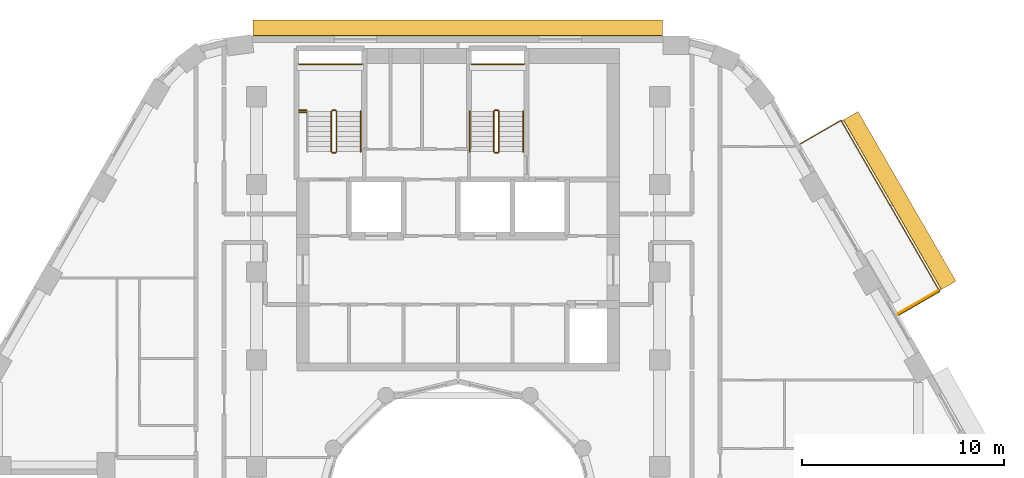
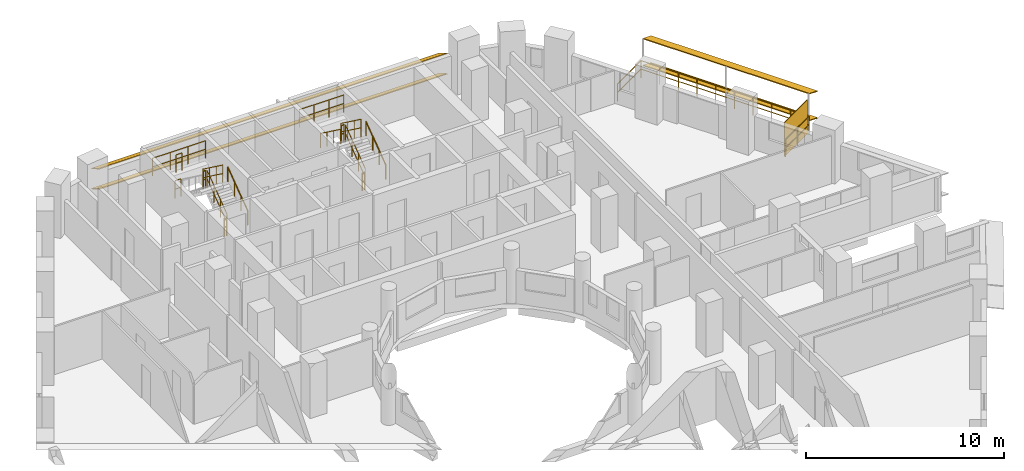
# One storey, part 14 of 14: 16 railings, 5 shading devices.
"""IFC4 building model written with IfcOpenShell, lengths in metres."""

import ifcopenshell
import ifcopenshell.guid

model = None  # the IFC model being written
_history = None  # IfcOwnerHistory: only IFC2X3 demands one
_inside = {}  # id of a spatial element -> (the spatial element, [elements in it])
_under = {}  # id of a project, library or spatial element -> (it, [spatial elements below it])
_declared = {}  # id of a project -> (the project, [libraries it declares])
_typed = {}  # id of a type object -> (the type object, [elements of that type])
_made_of = {}  # id of a material, layer set ... -> (it, [elements and type objects made of it])


def new_model(schema):
    """Start an empty IFC model of exactly this schema.

    Asked for "IFC4X3", IfcOpenShell would pick the latest addendum, in which some entities
    have other attributes; the version numbers below select the first issue.
    IFC2X3 requires an IfcOwnerHistory on every rooted entity: one is made here for all.
    """
    global model, _history
    if schema == "IFC4X3":
        model = ifcopenshell.file(schema_version=(4, 3, 0, 0))
    else:
        model = ifcopenshell.file(schema=schema)
    _inside.clear()
    _under.clear()
    _declared.clear()
    _typed.clear()
    _made_of.clear()
    _history = None
    if model.schema == "IFC2X3":
        org = make("IfcOrganization", Name="unknown")
        user = make(
            "IfcPersonAndOrganization",
            ThePerson=make("IfcPerson", FamilyName="unknown"),
            TheOrganization=org,
        )
        app = make(
            "IfcApplication",
            ApplicationDeveloper=org,
            Version="unknown",
            ApplicationFullName="unknown",
            ApplicationIdentifier="unknown",
        )
        _history = make(
            "IfcOwnerHistory",
            OwningUser=user,
            OwningApplication=app,
            ChangeAction="ADDED",
            CreationDate=0,
        )
    return model


def make(cls, **values):
    """One entity of the class cls with the attributes given. An attribute that is None is left unset."""
    return model.create_entity(
        cls, **{name: value for name, value in values.items() if value is not None}
    )


def rooted(cls, **values):
    """An entity with a GlobalId (a new one), such as an element, a storey or a relation."""
    return make(cls, GlobalId=ifcopenshell.guid.new(), OwnerHistory=_history, **values)


def si_unit(unit_type, name, prefix=None):
    """IfcSIUnit, for example si_unit("LENGTHUNIT", "METRE", prefix="MILLI")."""
    return make("IfcSIUnit", UnitType=unit_type, Prefix=prefix, Name=name)


def assignment(units):
    """IfcUnitAssignment: the units of a project."""
    return None if units is None else make("IfcUnitAssignment", Units=units)


def point(xyz):
    """IfcCartesianPoint."""
    return None if xyz is None else make("IfcCartesianPoint", Coordinates=xyz)


def direction(xyz):
    """IfcDirection."""
    return None if xyz is None else make("IfcDirection", DirectionRatios=xyz)


def frame(location, z_axis=None, x_axis=None):
    """IfcAxis2Placement3D, a coordinate frame: its origin and axes. An axis left out is left unset."""
    return make(
        "IfcAxis2Placement3D",
        Location=point(location),
        Axis=direction(z_axis),
        RefDirection=direction(x_axis),
    )


def frame_2d(location, x_axis=None):
    """IfcAxis2Placement2D, a coordinate frame in the plane: its origin and x axis."""
    return make(
        "IfcAxis2Placement2D", Location=point(location), RefDirection=direction(x_axis)
    )


def origin():
    """The frame at (0, 0, 0) with its axes left unset."""
    return frame((0.0, 0.0, 0.0))


def origin_2d():
    """The frame at (0, 0) in the plane with its x axis left unset."""
    return frame_2d((0.0, 0.0))


def place(relative_to, where):
    """IfcLocalPlacement: puts the frame where relative to a parent placement (None: the world)."""
    return make(
        "IfcLocalPlacement", PlacementRelTo=relative_to, RelativePlacement=where
    )


def context(
    kind, dimensions, precision=None, world=None, true_north=None, identifier=None
):
    """IfcGeometricRepresentationContext, for example the 3D "Model" context."""
    return make(
        "IfcGeometricRepresentationContext",
        ContextIdentifier=identifier,
        ContextType=kind,
        CoordinateSpaceDimension=dimensions,
        Precision=precision,
        WorldCoordinateSystem=world,
        TrueNorth=true_north,
    )


def subcontext(parent, identifier, kind, view, scale=None):
    """IfcGeometricRepresentationSubContext, for example "Body" below "Model"."""
    return make(
        "IfcGeometricRepresentationSubContext",
        ContextIdentifier=identifier,
        ContextType=kind,
        ParentContext=parent,
        TargetScale=scale,
        TargetView=view,
    )


def project(units=None, contexts=None):
    """IfcProject with its units and contexts."""
    return rooted(
        "IfcProject",
        Name="project",
        RepresentationContexts=contexts,
        UnitsInContext=assignment(units),
    )


def spatial(cls, under=None, at=None, **own):
    """A site, building, storey or space (cls), placed at a placement, below another one or the project."""
    s = rooted(cls, ObjectPlacement=at, **own)
    if under is not None:
        _under.setdefault(under.id(), (under, []))[1].append(s)
    return s


def profile(cls, at=None, kind="AREA", **sizes):
    """A parametric profile (cls). Its sizes go by their IFC names, for example OverallWidth=200.0."""
    return make(cls, ProfileType=kind, Position=at, **sizes)


def rectangle(**sizes):
    """IfcRectangleProfileDef."""
    return profile("IfcRectangleProfileDef", **sizes)


def circle(**sizes):
    """IfcCircleProfileDef."""
    return profile("IfcCircleProfileDef", **sizes)


def extrude(swept, where, along, depth):
    """IfcExtrudedAreaSolid: the profile swept, set in the frame where, extruded along a direction by depth."""
    return make(
        "IfcExtrudedAreaSolid",
        SweptArea=swept,
        Position=where,
        ExtrudedDirection=direction(along),
        Depth=depth,
    )


def shape(context_of_items, identifier, shape_type, items):
    """IfcShapeRepresentation: the items that make up one representation, for example the "Body"."""
    return make(
        "IfcShapeRepresentation",
        ContextOfItems=context_of_items,
        RepresentationIdentifier=identifier,
        RepresentationType=shape_type,
        Items=items,
    )


def material(Name=None, Category=None):
    """IfcMaterial."""
    return make("IfcMaterial", Name=Name, Category=Category)


def layer(
    of_material, thickness, ventilated=None, Name=None, Category=None, Priority=None
):
    """IfcMaterialLayer: one layer of a wall or slab, of a material (None: an air gap)."""
    return make(
        "IfcMaterialLayer",
        Material=of_material,
        LayerThickness=thickness,
        IsVentilated=ventilated,
        Name=Name,
        Category=Category,
        Priority=Priority,
    )


def layer_set(layers, Name=None):
    """IfcMaterialLayerSet."""
    return make("IfcMaterialLayerSet", MaterialLayers=layers, LayerSetName=Name)


def material_profile(
    of_material, cross_section, Name=None, Category=None, Priority=None
):
    """IfcMaterialProfile: a cross section and its material."""
    return make(
        "IfcMaterialProfile",
        Name=Name,
        Material=of_material,
        Profile=cross_section,
        Priority=Priority,
        Category=Category,
    )


def profile_set(profiles, Name=None, composite=None):
    """IfcMaterialProfileSet."""
    return make(
        "IfcMaterialProfileSet",
        Name=Name,
        MaterialProfiles=profiles,
        CompositeProfile=composite,
    )


def made_of(thing, what):
    """Note that an element or type object is made of a material, layer set ...; save() writes the relation."""
    if what is not None:
        _made_of.setdefault(what.id(), (what, []))[1].append(thing)
    return thing


def type_object(cls, material=None, **own):
    """A type object (cls), such as IfcWallType, which elements share."""
    return made_of(rooted(cls, **own), material)


def element(
    cls,
    number,
    at=None,
    inside=None,
    cuts=None,
    type_object=None,
    material=None,
    context=None,
    identifier="Body",
    shape_type=None,
    held_by="IfcProductDefinitionShape",
    body=None,
    shapes=None,
    **own,
):
    """One element of the class cls, such as IfcWall. Its Tag is "e" and its number.

    at: its placement. inside: the storey or other place that contains it. cuts: it is an
    opening in that element (IfcRelVoidsElement). A single representation is given by context,
    identifier, shape_type and body (its items); several are given by shapes. held_by: the class
    of the entity that holds the representations. save() writes the other relations.
    """
    e = rooted(cls, Tag="e%d" % number, ObjectPlacement=at, **own)
    if body is not None:
        shapes = [shape(context, identifier, shape_type, body)]
    if shapes is not None:
        e.Representation = make(held_by, Representations=shapes)
    if inside is not None:
        _inside.setdefault(inside.id(), (inside, []))[1].append(e)
    if cuts is not None:
        rooted(
            "IfcRelVoidsElement", RelatingBuildingElement=cuts, RelatedOpeningElement=e
        )
    if type_object is not None:
        _typed.setdefault(type_object.id(), (type_object, []))[1].append(e)
    return made_of(e, material)


def aggregate(whole, parts):
    """IfcRelAggregates: a whole, such as a stair, and the parts it consists of."""
    return rooted("IfcRelAggregates", RelatingObject=whole, RelatedObjects=parts)


def save(model, path):
    """Write the relations noted so far, then the file.

    IfcRelAggregates (storeys below a building ...), IfcRelContainedInSpatialStructure (elements
    in a storey), IfcRelDefinesByType, IfcRelAssociatesMaterial and IfcRelDeclares: one each for
    every whole, place, type object, material and project.
    """
    for whole, parts in _under.values():
        aggregate(whole, parts)
    for where, things in _inside.values():
        rooted(
            "IfcRelContainedInSpatialStructure",
            RelatedElements=things,
            RelatingStructure=where,
        )
    for kind, things in _typed.values():
        rooted("IfcRelDefinesByType", RelatedObjects=things, RelatingType=kind)
    for what, things in _made_of.values():
        rooted("IfcRelAssociatesMaterial", RelatedObjects=things, RelatingMaterial=what)
    for by, libraries in _declared.values():
        rooted("IfcRelDeclares", RelatingContext=by, RelatedDefinitions=libraries)
    model.write(path)


model = new_model("IFC4")

# Units and contexts
model_context = context("Model", 3, precision=1e-05, world=origin(), true_north=direction((0.0, 1.0)))
body_context = subcontext(model_context, "Body", "Model", "MODEL_VIEW")
ifc_project = project(units=[si_unit("LENGTHUNIT", "METRE"), si_unit("AREAUNIT", "SQUARE_METRE"), si_unit("VOLUMEUNIT", "CUBIC_METRE"), si_unit("PLANEANGLEUNIT", "RADIAN"), si_unit("MASSUNIT", "GRAM", prefix="KILO")], contexts=[model_context])

# Site, building, storey
site_placement = place(None, origin())
site = spatial("IfcSite", under=ifc_project, at=site_placement, CompositionType="ELEMENT")
building_placement = place(site_placement, origin())
building = spatial("IfcBuilding", under=site, at=building_placement, Name="Nakaniwa Court", CompositionType="ELEMENT")
storey_placement = place(building_placement, frame((0.0, 0.0, 166.800048828125)))
storey = spatial("IfcBuildingStorey", under=building, at=storey_placement, Name="L44", CompositionType="ELEMENT", Elevation=166.800048828125)

# Railing
ifc_material_1 = material(Name="Black powder-coated steel flat bar balustrade S275", Category="steel")
railing_type_1 = type_object("IfcRailingType", Name="Black metal balcony guard 1100", PredefinedType="GUARDRAIL", material=ifc_material_1)
railing_1_placement = place(storey_placement, frame((101.84326171875, 90.16650390625, -0.050048828125)))
element("IfcRailing", 1, at=railing_1_placement, inside=storey, type_object=railing_type_1, Name="L44 balcony guard 01", PredefinedType="GUARDRAIL", context=body_context, shape_type="SweptSolid", body=[
    extrude(circle(Radius=0.02392578125, at=origin_2d()), frame((0.0, 0.0, 1.076171875), z_axis=(0.865980564943, 0.500077655111, 0.0), x_axis=(-0.500077655111, 0.865980564943, 0.0)), (0.0, 0.0, 1.0), 2.35986328125),
    extrude(circle(Radius=0.02392578125, at=origin_2d()), frame((0.0, 0.0, 0.550048828125), z_axis=(0.865980564943, 0.500077655111, 0.0), x_axis=(-0.500077655111, 0.865980564943, 0.0)), (0.0, 0.0, 1.0), 2.35986328125),
    extrude(circle(Radius=0.02392578125, at=origin_2d()), frame((2.043701171875, 1.18017578125, 1.076171875), z_axis=(-0.500011691413, 0.866018653639, 0.0), x_axis=(-0.866018653639, -0.500011691413, 0.0)), (0.0, 0.0, 1.0), 9.790771484375),
    extrude(circle(Radius=0.02392578125, at=origin_2d()), frame((2.043701171875, 1.18017578125, 0.550048828125), z_axis=(-0.500011691413, 0.866018653639, 0.0), x_axis=(-0.866018653639, -0.500011691413, 0.0)), (0.0, 0.0, 1.0), 9.790771484375),
    extrude(circle(Radius=0.02392578125, at=origin_2d()), frame((-2.851806640625, 9.6591796875, 1.076171875), z_axis=(-0.866025363618, -0.50000006957, 0.0), x_axis=(0.50000006957, -0.866025363618, 0.0)), (0.0, 0.0, 1.0), 2.35986328125),
    extrude(circle(Radius=0.02392578125, at=origin_2d()), frame((-2.851806640625, 9.6591796875, 0.550048828125), z_axis=(-0.866025363618, -0.50000006957, 0.0), x_axis=(0.50000006957, -0.866025363618, 0.0)), (0.0, 0.0, 1.0), 2.35986328125),
    extrude(circle(Radius=0.02099609375, at=origin_2d()), origin(), (0.0, 0.0, 1.0), 1.052001953125),
    extrude(circle(Radius=0.02099609375, at=origin_2d()), frame((1.02197265625, 0.590087890625, 0.0)), (0.0, 0.0, 1.0), 1.052001953125),
    extrude(circle(Radius=0.02099609375, at=origin_2d()), frame((2.043701171875, 1.18017578125, 0.0)), (0.0, 0.0, 1.0), 1.052001953125),
    extrude(circle(Radius=0.02099609375, at=origin_2d()), frame((1.499755859375, 2.122314453125, 0.0)), (0.0, 0.0, 1.0), 1.052001953125),
    extrude(circle(Radius=0.02099609375, at=origin_2d()), frame((0.955810546875, 3.064453125, 0.0)), (0.0, 0.0, 1.0), 1.052001953125),
    extrude(circle(Radius=0.02099609375, at=origin_2d()), frame((0.411865234375, 4.006591796875, 0.0)), (0.0, 0.0, 1.0), 1.052001953125),
    extrude(circle(Radius=0.02099609375, at=origin_2d()), frame((-0.132080078125, 4.94873046875, 0.0)), (0.0, 0.0, 1.0), 1.052001953125),
    extrude(circle(Radius=0.02099609375, at=origin_2d()), frame((-0.676025390625, 5.890625, 0.0)), (0.0, 0.0, 1.0), 1.052001953125),
    extrude(circle(Radius=0.02099609375, at=origin_2d()), frame((-1.219970703125, 6.832763671875, 0.0)), (0.0, 0.0, 1.0), 1.052001953125),
    extrude(circle(Radius=0.02099609375, at=origin_2d()), frame((-1.763916015625, 7.77490234375, 0.0)), (0.0, 0.0, 1.0), 1.052001953125),
    extrude(circle(Radius=0.02099609375, at=origin_2d()), frame((-2.307861328125, 8.717041015625, 0.0)), (0.0, 0.0, 1.0), 1.052001953125),
    extrude(circle(Radius=0.02099609375, at=origin_2d()), frame((-2.851806640625, 9.6591796875, 0.0)), (0.0, 0.0, 1.0), 1.052001953125),
    extrude(circle(Radius=0.02099609375, at=origin_2d()), frame((-3.87353515625, 9.0693359375, 0.0)), (0.0, 0.0, 1.0), 1.052001953125),
    extrude(circle(Radius=0.02099609375, at=origin_2d()), frame((-4.8955078125, 8.479248046875, 0.0)), (0.0, 0.0, 1.0), 1.052001953125),
])

# Shading devices
ifc_material_2 = material(Name="Black powder-coated aluminium slat screen", Category="aluminium")
ifc_layer = layer(ifc_material_2, 0.0400390625)
ifc_layer_set = layer_set([ifc_layer], Name="Black powder-coated aluminium slat screen")
shading_device_type_1 = type_object("IfcShadingDeviceType", Name="Koshi screen black metal", PredefinedType="USERDEFINED", material=ifc_layer_set)
shading_device_placement = place(storey_placement, frame((102.803466796875, 90.813232421875, -0.050048828125), z_axis=(0.0, 0.0, 1.0), x_axis=(-0.500004534492, 0.866022785779, 0.0)))
element("IfcShadingDevice", 2, at=shading_device_placement, inside=storey, type_object=shading_device_type_1, Name="L44 balcony SCREEN 01 W", ObjectType="KOSHI SCREEN", PredefinedType="USERDEFINED", context=body_context, shape_type="SweptSolid", body=[
    extrude(rectangle(XDim=0.0400390625, YDim=2.31005859375, at=origin_2d()), origin(), (0.0, 0.0, 1.0), 2.10009765625),
])
ifc_material_3 = material(Name="Perforated charcoal ceramic louvre blade")
ifc_material_profile = material_profile(ifc_material_3, rectangle(XDim=0.89990234375, YDim=0.050048828125, at=origin_2d()), Name="Perforated ceramic louvre blade")
ifc_profile_set = profile_set([ifc_material_profile], Name="Perforated charcoal ceramic louvre blade")
shading_device_type_2 = type_object("IfcShadingDeviceType", Name="Perforated ceramic louvre blade", PredefinedType="JALOUSIE", material=ifc_profile_set)
for number, where, z_axis, x_axis, name in (
    (3, (104.322021484375, 91.643798828125, 0.5), (-0.500019143301, 0.866014351113, 0.0), (-0.800092933854, -0.461957452359, 0.382683432365), "L44 perforated ceramic louvre blade 01 1"),
    (4, (104.322021484375, 91.643798828125, 2.14990234375), (-0.500019143301, 0.866014351113, 0.0), (-0.800092933854, -0.461957452359, 0.382683432365), "L44 perforated ceramic louvre blade 01 2"),
):
    element("IfcShadingDevice", number, at=place(storey_placement, frame(where, z_axis=z_axis, x_axis=x_axis)), inside=storey, type_object=shading_device_type_2, Name=name, PredefinedType="JALOUSIE", context=body_context, shape_type="SweptSolid", body=[
        extrude(rectangle(XDim=0.89990234375, YDim=0.050048828125, at=origin_2d()), origin(), (0.0, 0.0, 1.0), 9.7109375),
    ])
for number, where, z_axis, x_axis, name in (
    (5, (90.128662109375, 104.402099609375, 0.550048828125), (-1.0, 0.0, 0.0), (0.0, -0.866025403784, 0.5), "L44 perforated ceramic louvre blade w08 1"),
    (6, (90.128662109375, 104.402099609375, 1.793212890625), (-1.0, 0.0, 0.0), (0.0, -0.866025403784, 0.5), "L44 perforated ceramic louvre blade w08 2"),
):
    element("IfcShadingDevice", number, at=place(storey_placement, frame(where, z_axis=z_axis, x_axis=x_axis)), inside=storey, type_object=shading_device_type_2, Name=name, PredefinedType="JALOUSIE", context=body_context, shape_type="SweptSolid", body=[
        extrude(rectangle(XDim=0.89990234375, YDim=0.050048828125, at=origin_2d()), origin(), (0.0, 0.0, 1.0), 20.291259765625),
    ])

# Railings
ifc_material_4 = material(Name="Black powder coated steel guard", Category="steel")
railing_type_2 = type_object("IfcRailingType", Name="Stair guard 1100", PredefinedType="GUARDRAIL", material=ifc_material_4)
railing_2_placement = place(storey_placement, frame((73.97509765625, 98.27490234375, 0.183349609375)))
element("IfcRailing", 7, at=railing_2_placement, inside=storey, type_object=railing_type_2, Name="L44 ST1 stair guard 1", PredefinedType="GUARDRAIL", context=body_context, shape_type="SweptSolid", body=[
    extrude(circle(Radius=0.02392578125, at=origin_2d()), frame((0.0, 0.0, 1.076171875), z_axis=(0.0, 0.806426902644, 0.591333789573), x_axis=(-1.0, 0.0, 0.0)), (0.0, 0.0, 1.0), 2.47998046875),
    extrude(circle(Radius=0.02392578125, at=origin_2d()), frame((0.0, 0.0, 0.550048828125), z_axis=(0.0, 0.806426902644, 0.591333789573), x_axis=(-1.0, 0.0, 0.0)), (0.0, 0.0, 1.0), 2.47998046875),
    extrude(circle(Radius=0.02099609375, at=origin_2d()), origin(), (0.0, 0.0, 1.0), 1.052001953125),
    extrude(circle(Radius=0.02099609375, at=origin_2d()), frame((0.0, 0.666748046875, 0.48876953125)), (0.0, 0.0, 1.0), 1.052001953125),
    extrude(circle(Radius=0.02099609375, at=origin_2d()), frame((0.0, 1.333251953125, 0.977783203125)), (0.0, 0.0, 1.0), 1.052001953125),
    extrude(circle(Radius=0.02099609375, at=origin_2d()), frame((0.0, 2.0, 1.466552734375)), (0.0, 0.0, 1.0), 1.052001953125),
])
railing_3_placement = place(storey_placement, frame((73.925048828125, 100.324951171875, 1.64990234375)))
element("IfcRailing", 8, at=railing_3_placement, inside=storey, type_object=railing_type_2, Name="L44 ST1 stair guard 2", PredefinedType="GUARDRAIL", context=body_context, shape_type="SweptSolid", body=[
    extrude(circle(Radius=0.02392578125, at=origin_2d()), frame((0.0, 0.0, 1.076171875), z_axis=(-1.0, 0.0, 0.0), x_axis=(0.0, -1.0, 0.0)), (0.0, 0.0, 1.0), 0.150146484375),
    extrude(circle(Radius=0.02392578125, at=origin_2d()), frame((0.0, 0.0, 0.550048828125), z_axis=(-1.0, 0.0, 0.0), x_axis=(0.0, -1.0, 0.0)), (0.0, 0.0, 1.0), 0.150146484375),
    extrude(circle(Radius=0.02099609375, at=origin_2d()), origin(), (0.0, 0.0, 1.0), 1.052001953125),
    extrude(circle(Radius=0.02099609375, at=origin_2d()), frame((-0.150146484375, 0.0, 0.0)), (0.0, 0.0, 1.0), 1.052001953125),
])
railing_4_placement = place(storey_placement, frame((73.72509765625, 100.27490234375, 1.833251953125)))
element("IfcRailing", 9, at=railing_4_placement, inside=storey, type_object=railing_type_2, Name="L44 ST1 stair guard 3", PredefinedType="GUARDRAIL", context=body_context, shape_type="SweptSolid", body=[
    extrude(circle(Radius=0.02392578125, at=origin_2d()), frame((0.0, 0.0, 1.076171875), z_axis=(0.0, -0.806379959628, 0.591397802423), x_axis=(1.0, 0.0, 0.0)), (0.0, 0.0, 1.0), 2.480224609375),
    extrude(circle(Radius=0.02392578125, at=origin_2d()), frame((0.0, 0.0, 0.550048828125), z_axis=(0.0, -0.806379959628, 0.591397802423), x_axis=(1.0, 0.0, 0.0)), (0.0, 0.0, 1.0), 2.480224609375),
    extrude(circle(Radius=0.02099609375, at=origin_2d()), origin(), (0.0, 0.0, 1.0), 1.052001953125),
    extrude(circle(Radius=0.02099609375, at=origin_2d()), frame((0.0, -0.666748046875, 0.489013671875)), (0.0, 0.0, 1.0), 1.052001953125),
    extrude(circle(Radius=0.02099609375, at=origin_2d()), frame((0.0, -1.333251953125, 0.977783203125)), (0.0, 0.0, 1.0), 1.052001953125),
    extrude(circle(Radius=0.02099609375, at=origin_2d()), frame((0.0, -2.0, 1.466796875)), (0.0, 0.0, 1.0), 1.052001953125),
])
railing_5_placement = place(storey_placement, frame((73.925048828125, 98.22509765625, 0.0)))
element("IfcRailing", 10, at=railing_5_placement, inside=storey, type_object=railing_type_2, Name="L44 ST1 stair guard 4", PredefinedType="GUARDRAIL", context=body_context, shape_type="SweptSolid", body=[
    extrude(circle(Radius=0.02392578125, at=origin_2d()), frame((0.0, 0.0, 1.076171875), z_axis=(-1.0, 0.0, 0.0), x_axis=(0.0, -1.0, 0.0)), (0.0, 0.0, 1.0), 0.150146484375),
    extrude(circle(Radius=0.02392578125, at=origin_2d()), frame((0.0, 0.0, 0.550048828125), z_axis=(-1.0, 0.0, 0.0), x_axis=(0.0, -1.0, 0.0)), (0.0, 0.0, 1.0), 0.150146484375),
    extrude(circle(Radius=0.02099609375, at=origin_2d()), origin(), (0.0, 0.0, 1.0), 1.052001953125),
    extrude(circle(Radius=0.02099609375, at=origin_2d()), frame((-0.150146484375, 0.0, 0.0)), (0.0, 0.0, 1.0), 1.052001953125),
])
railing_6_placement = place(storey_placement, frame((72.125, 102.60009765625, 1.64990234375)))
element("IfcRailing", 11, at=railing_6_placement, inside=storey, type_object=railing_type_2, Name="L44 ST1 landing end guard 1", PredefinedType="GUARDRAIL", context=body_context, shape_type="SweptSolid", body=[
    extrude(circle(Radius=0.02392578125, at=origin_2d()), frame((0.0, 0.0, 1.076171875), z_axis=(1.0, 0.0, 0.0), x_axis=(0.0, 1.0, 0.0)), (0.0, 0.0, 1.0), 3.10009765625),
    extrude(circle(Radius=0.02392578125, at=origin_2d()), frame((0.0, 0.0, 0.550048828125), z_axis=(1.0, 0.0, 0.0), x_axis=(0.0, 1.0, 0.0)), (0.0, 0.0, 1.0), 3.10009765625),
    extrude(circle(Radius=0.02099609375, at=origin_2d()), origin(), (0.0, 0.0, 1.0), 1.052001953125),
    extrude(circle(Radius=0.02099609375, at=origin_2d()), frame((1.033447265625, 0.0, 0.0)), (0.0, 0.0, 1.0), 1.052001953125),
    extrude(circle(Radius=0.02099609375, at=origin_2d()), frame((2.066650390625, 0.0, 0.0)), (0.0, 0.0, 1.0), 1.052001953125),
    extrude(circle(Radius=0.02099609375, at=origin_2d()), frame((3.10009765625, 0.0, 0.0)), (0.0, 0.0, 1.0), 1.052001953125),
])
for number, where, name in (
    (12, (72.125, 100.324951171875, 1.64990234375), "L44 ST1 landing side guard 1W"),
    (13, (72.125, 100.22509765625, 3.300048828125), "L44 ST1 floor edge guard 1W"),
):
    element("IfcRailing", number, at=place(storey_placement, frame(where)), inside=storey, type_object=railing_type_2, Name=name, PredefinedType="GUARDRAIL", context=body_context, shape_type="SweptSolid", body=[
        extrude(circle(Radius=0.02392578125, at=origin_2d()), frame((0.0, 0.0, 1.076171875), z_axis=(1.0, 0.0, 0.0), x_axis=(0.0, 1.0, 0.0)), (0.0, 0.0, 1.0), 0.35009765625),
        extrude(circle(Radius=0.02392578125, at=origin_2d()), frame((0.0, 0.0, 0.550048828125), z_axis=(1.0, 0.0, 0.0), x_axis=(0.0, 1.0, 0.0)), (0.0, 0.0, 1.0), 0.35009765625),
        extrude(circle(Radius=0.02099609375, at=origin_2d()), origin(), (0.0, 0.0, 1.0), 1.052001953125),
        extrude(circle(Radius=0.02099609375, at=origin_2d()), frame((0.35009765625, 0.0, 0.0)), (0.0, 0.0, 1.0), 1.052001953125),
    ])
railing_7_placement = place(storey_placement, frame((82.02490234375, 98.27490234375, 0.183349609375)))
element("IfcRailing", 14, at=railing_7_placement, inside=storey, type_object=railing_type_2, Name="L44 ST2 stair guard 1", PredefinedType="GUARDRAIL", context=body_context, shape_type="SweptSolid", body=[
    extrude(circle(Radius=0.02392578125, at=origin_2d()), frame((0.0, 0.0, 1.076171875), z_axis=(0.0, 0.806426902644, 0.591333789573), x_axis=(-1.0, 0.0, 0.0)), (0.0, 0.0, 1.0), 2.47998046875),
    extrude(circle(Radius=0.02392578125, at=origin_2d()), frame((0.0, 0.0, 0.550048828125), z_axis=(0.0, 0.806426902644, 0.591333789573), x_axis=(-1.0, 0.0, 0.0)), (0.0, 0.0, 1.0), 2.47998046875),
    extrude(circle(Radius=0.02099609375, at=origin_2d()), origin(), (0.0, 0.0, 1.0), 1.052001953125),
    extrude(circle(Radius=0.02099609375, at=origin_2d()), frame((0.0, 0.666748046875, 0.48876953125)), (0.0, 0.0, 1.0), 1.052001953125),
    extrude(circle(Radius=0.02099609375, at=origin_2d()), frame((0.0, 1.333251953125, 0.977783203125)), (0.0, 0.0, 1.0), 1.052001953125),
    extrude(circle(Radius=0.02099609375, at=origin_2d()), frame((0.0, 2.0, 1.466552734375)), (0.0, 0.0, 1.0), 1.052001953125),
])
railing_8_placement = place(storey_placement, frame((81.97509765625, 100.324951171875, 1.64990234375)))
element("IfcRailing", 15, at=railing_8_placement, inside=storey, type_object=railing_type_2, Name="L44 ST2 stair guard 2", PredefinedType="GUARDRAIL", context=body_context, shape_type="SweptSolid", body=[
    extrude(circle(Radius=0.02392578125, at=origin_2d()), frame((0.0, 0.0, 1.076171875), z_axis=(-1.0, 0.0, 0.0), x_axis=(0.0, -1.0, 0.0)), (0.0, 0.0, 1.0), 0.150146484375),
    extrude(circle(Radius=0.02392578125, at=origin_2d()), frame((0.0, 0.0, 0.550048828125), z_axis=(-1.0, 0.0, 0.0), x_axis=(0.0, -1.0, 0.0)), (0.0, 0.0, 1.0), 0.150146484375),
    extrude(circle(Radius=0.02099609375, at=origin_2d()), origin(), (0.0, 0.0, 1.0), 1.052001953125),
    extrude(circle(Radius=0.02099609375, at=origin_2d()), frame((-0.150146484375, 0.0, 0.0)), (0.0, 0.0, 1.0), 1.052001953125),
])
railing_9_placement = place(storey_placement, frame((81.77490234375, 100.27490234375, 1.833251953125)))
element("IfcRailing", 16, at=railing_9_placement, inside=storey, type_object=railing_type_2, Name="L44 ST2 stair guard 3", PredefinedType="GUARDRAIL", context=body_context, shape_type="SweptSolid", body=[
    extrude(circle(Radius=0.02392578125, at=origin_2d()), frame((0.0, 0.0, 1.076171875), z_axis=(0.0, -0.806379959628, 0.591397802423), x_axis=(1.0, 0.0, 0.0)), (0.0, 0.0, 1.0), 2.480224609375),
    extrude(circle(Radius=0.02392578125, at=origin_2d()), frame((0.0, 0.0, 0.550048828125), z_axis=(0.0, -0.806379959628, 0.591397802423), x_axis=(1.0, 0.0, 0.0)), (0.0, 0.0, 1.0), 2.480224609375),
    extrude(circle(Radius=0.02099609375, at=origin_2d()), origin(), (0.0, 0.0, 1.0), 1.052001953125),
    extrude(circle(Radius=0.02099609375, at=origin_2d()), frame((0.0, -0.666748046875, 0.489013671875)), (0.0, 0.0, 1.0), 1.052001953125),
    extrude(circle(Radius=0.02099609375, at=origin_2d()), frame((0.0, -1.333251953125, 0.977783203125)), (0.0, 0.0, 1.0), 1.052001953125),
    extrude(circle(Radius=0.02099609375, at=origin_2d()), frame((0.0, -2.0, 1.466796875)), (0.0, 0.0, 1.0), 1.052001953125),
])
railing_10_placement = place(storey_placement, frame((81.97509765625, 98.22509765625, 0.0)))
element("IfcRailing", 17, at=railing_10_placement, inside=storey, type_object=railing_type_2, Name="L44 ST2 stair guard 4", PredefinedType="GUARDRAIL", context=body_context, shape_type="SweptSolid", body=[
    extrude(circle(Radius=0.02392578125, at=origin_2d()), frame((0.0, 0.0, 1.076171875), z_axis=(-1.0, 0.0, 0.0), x_axis=(0.0, -1.0, 0.0)), (0.0, 0.0, 1.0), 0.150146484375),
    extrude(circle(Radius=0.02392578125, at=origin_2d()), frame((0.0, 0.0, 0.550048828125), z_axis=(-1.0, 0.0, 0.0), x_axis=(0.0, -1.0, 0.0)), (0.0, 0.0, 1.0), 0.150146484375),
    extrude(circle(Radius=0.02099609375, at=origin_2d()), origin(), (0.0, 0.0, 1.0), 1.052001953125),
    extrude(circle(Radius=0.02099609375, at=origin_2d()), frame((-0.150146484375, 0.0, 0.0)), (0.0, 0.0, 1.0), 1.052001953125),
])
railing_11_placement = place(storey_placement, frame((80.675048828125, 102.60009765625, 1.64990234375)))
element("IfcRailing", 18, at=railing_11_placement, inside=storey, type_object=railing_type_2, Name="L44 ST2 landing end guard 1", PredefinedType="GUARDRAIL", context=body_context, shape_type="SweptSolid", body=[
    extrude(circle(Radius=0.02392578125, at=origin_2d()), frame((0.0, 0.0, 1.076171875), z_axis=(1.0, 0.0, 0.0), x_axis=(0.0, 1.0, 0.0)), (0.0, 0.0, 1.0), 2.599853515625),
    extrude(circle(Radius=0.02392578125, at=origin_2d()), frame((0.0, 0.0, 0.550048828125), z_axis=(1.0, 0.0, 0.0), x_axis=(0.0, 1.0, 0.0)), (0.0, 0.0, 1.0), 2.599853515625),
    extrude(circle(Radius=0.02099609375, at=origin_2d()), origin(), (0.0, 0.0, 1.0), 1.052001953125),
    extrude(circle(Radius=0.02099609375, at=origin_2d()), frame((0.86669921875, 0.0, 0.0)), (0.0, 0.0, 1.0), 1.052001953125),
    extrude(circle(Radius=0.02099609375, at=origin_2d()), frame((1.733154296875, 0.0, 0.0)), (0.0, 0.0, 1.0), 1.052001953125),
    extrude(circle(Radius=0.02099609375, at=origin_2d()), frame((2.599853515625, 0.0, 0.0)), (0.0, 0.0, 1.0), 1.052001953125),
])
ifc_material_5 = material(Name="Black powder coated steel handrail", Category="steel")
railing_type_3 = type_object("IfcRailingType", Name="Stair handrail 900", PredefinedType="HANDRAIL", material=ifc_material_5)
for number, where, name in (
    (19, (75.175048828125, 98.27490234375, 0.183349609375), "L44 ST1 stair handrail 1"),
    (20, (83.22509765625, 98.27490234375, 0.183349609375), "L44 ST2 stair handrail 1"),
):
    element("IfcRailing", number, at=place(storey_placement, frame(where)), inside=storey, type_object=railing_type_3, Name=name, PredefinedType="HANDRAIL", context=body_context, shape_type="SweptSolid", body=[
        extrude(circle(Radius=0.02392578125, at=origin_2d()), frame((0.0, 0.0, 0.8759765625), z_axis=(0.0, 0.806426902644, 0.591333789573), x_axis=(-1.0, 0.0, 0.0)), (0.0, 0.0, 1.0), 2.47998046875),
        extrude(circle(Radius=0.02099609375, at=origin_2d()), origin(), (0.0, 0.0, 1.0), 0.851806640625),
        extrude(circle(Radius=0.02099609375, at=origin_2d()), frame((0.0, 0.666748046875, 0.48876953125)), (0.0, 0.0, 1.0), 0.851806640625),
        extrude(circle(Radius=0.02099609375, at=origin_2d()), frame((0.0, 1.333251953125, 0.977783203125)), (0.0, 0.0, 1.0), 0.851806640625),
        extrude(circle(Radius=0.02099609375, at=origin_2d()), frame((0.0, 2.0, 1.466552734375)), (0.0, 0.0, 1.0), 0.851806640625),
    ])
railing_12_placement = place(storey_placement, frame((80.574951171875, 100.27490234375, 1.833251953125)))
element("IfcRailing", 21, at=railing_12_placement, inside=storey, type_object=railing_type_3, Name="L44 ST2 stair handrail 2", PredefinedType="HANDRAIL", context=body_context, shape_type="SweptSolid", body=[
    extrude(circle(Radius=0.02392578125, at=origin_2d()), frame((0.0, 0.0, 0.8759765625), z_axis=(0.0, -0.806379959628, 0.591397802423), x_axis=(1.0, 0.0, 0.0)), (0.0, 0.0, 1.0), 2.480224609375),
    extrude(circle(Radius=0.02099609375, at=origin_2d()), origin(), (0.0, 0.0, 1.0), 0.851806640625),
    extrude(circle(Radius=0.02099609375, at=origin_2d()), frame((0.0, -0.666748046875, 0.489013671875)), (0.0, 0.0, 1.0), 0.851806640625),
    extrude(circle(Radius=0.02099609375, at=origin_2d()), frame((0.0, -1.333251953125, 0.977783203125)), (0.0, 0.0, 1.0), 0.851806640625),
    extrude(circle(Radius=0.02099609375, at=origin_2d()), frame((0.0, -2.0, 1.466796875)), (0.0, 0.0, 1.0), 0.851806640625),
])

save(model, "model.ifc")
